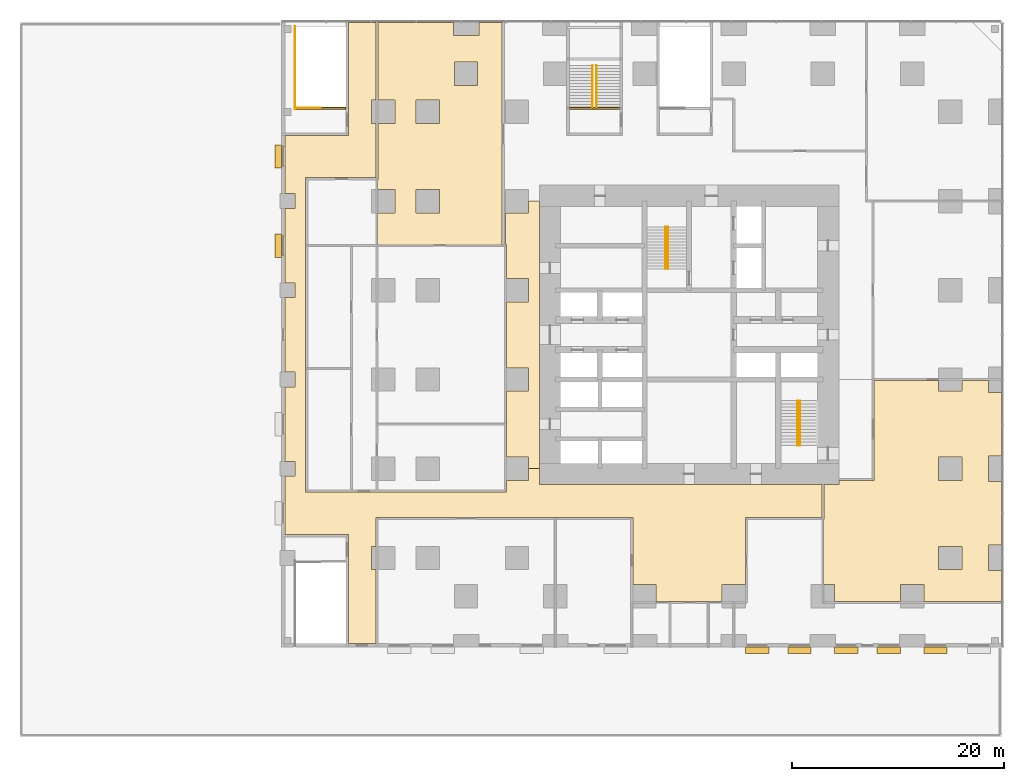
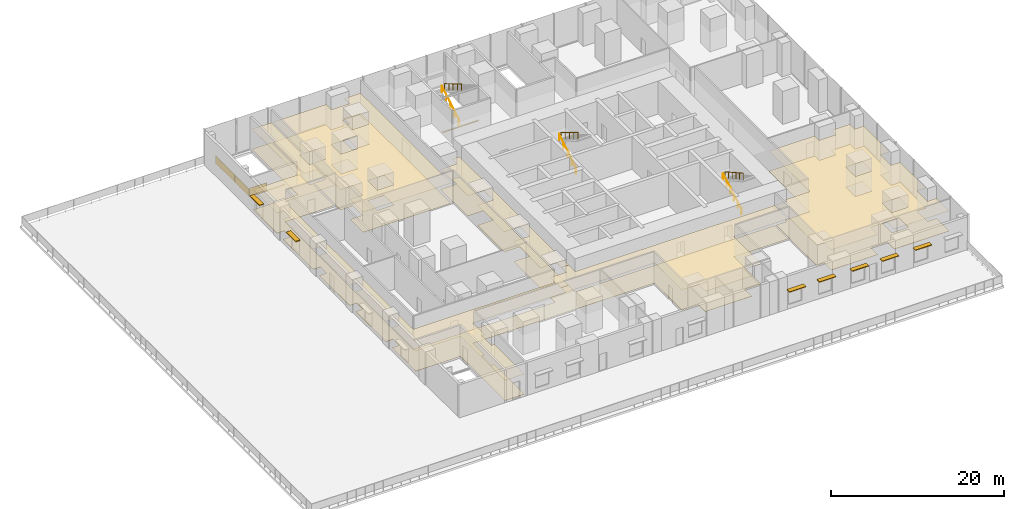
# One storey, part 17 of 18: 10 coverings, 8 railings, 7 shading devices.
"""IFC4 building model written with IfcOpenShell, lengths in metres."""

from ifc_helpers import new_model, si_unit, direction, frame, origin, origin_2d, place, context, subcontext, project, spatial, polyline, rectangle, circle, outline, extrude, material, layer, layer_set, type_object, element, save


model = new_model("IFC4")

# Units and contexts
model_context = context("Model", 3, precision=1e-05, world=origin(), true_north=direction((0.0, 1.0)))
body_context = subcontext(model_context, "Body", "Model", "MODEL_VIEW")
ifc_project = project(units=[si_unit("LENGTHUNIT", "METRE"), si_unit("AREAUNIT", "SQUARE_METRE"), si_unit("VOLUMEUNIT", "CUBIC_METRE"), si_unit("PLANEANGLEUNIT", "RADIAN"), si_unit("MASSUNIT", "GRAM", prefix="KILO")], contexts=[model_context])

# Site, building, storey
site_placement = place(None, origin())
site = spatial("IfcSite", under=ifc_project, at=site_placement, CompositionType="ELEMENT")
building_placement = place(site_placement, origin())
building = spatial("IfcBuilding", under=site, at=building_placement, Name="Dunama Terrace Hotel", CompositionType="ELEMENT")
storey_placement = place(building_placement, frame((0.0, 0.0, 17.0)))
storey = spatial("IfcBuildingStorey", under=building, at=storey_placement, Name="L03", CompositionType="ELEMENT", Elevation=17.0)

# Railings
ifc_material_1 = material(Name="Stainless steel and laminated glass guard", Category="steel")
railing_type_1 = type_object("IfcRailingType", Name="Guard 1100", PredefinedType="GUARDRAIL", material=ifc_material_1)
railing_1_placement = place(storey_placement, frame((-7.625, 50.77490234375, 0.030029296875)))
element("IfcRailing", 1, at=railing_1_placement, inside=storey, type_object=railing_type_1, Name="Stair well guard P3 L03", PredefinedType="GUARDRAIL", context=body_context, shape_type="SweptSolid", body=[
    extrude(circle(Radius=0.02392578125, at=origin_2d()), frame((0.0, 0.0, 1.076171875), z_axis=(1.0, 0.0, 0.0), x_axis=(0.0, 1.0, 0.0)), (0.0, 0.0, 1.0), 2.300048828125),
    extrude(circle(Radius=0.02099609375, at=origin_2d()), frame((0.0, 0.0, -0.030029296875)), (0.0, 0.0, 1.0), 1.08203125),
    extrude(circle(Radius=0.02099609375, at=origin_2d()), frame((1.14990234375, 0.0, -0.030029296875)), (0.0, 0.0, 1.0), 1.08203125),
    extrude(circle(Radius=0.02099609375, at=origin_2d()), frame((2.300048828125, 0.0, -0.030029296875)), (0.0, 0.0, 1.0), 1.08203125),
    extrude(outline(polyline([(0.0048828125, 0.050048828125), (1.14501953125, 0.050048828125), (1.14501953125, 1.076171875), (0.0048828125, 1.076171875), (0.0048828125, 0.050048828125)])), frame((0.0, 0.0087890625, 0.0), z_axis=(0.0, -1.0, 0.0), x_axis=(1.0, 0.0, 0.0)), (0.0, 0.0, 1.0), 0.017578125),
    extrude(outline(polyline([(0.0048828125, 0.050048828125), (1.14501953125, 0.050048828125), (1.14501953125, 1.076171875), (0.0048828125, 1.076171875), (0.0048828125, 0.050048828125)])), frame((1.14990234375, 0.0087890625, 0.0), z_axis=(0.0, -1.0, 0.0), x_axis=(1.0, 0.0, 0.0)), (0.0, 0.0, 1.0), 0.017578125),
])
railing_2_placement = place(storey_placement, frame((-7.72509765625, 50.659912109375, 0.0)))
element("IfcRailing", 2, at=railing_2_placement, inside=storey, type_object=railing_type_1, Name="Stair well edge guard P3 L03", PredefinedType="GUARDRAIL", context=body_context, shape_type="SweptSolid", body=[
    extrude(circle(Radius=0.02392578125, at=origin_2d()), frame((0.0, 0.0, 1.076171875), z_axis=(0.0, 1.0, 0.0), x_axis=(-1.0, 0.0, 0.0)), (0.0, 0.0, 1.0), 7.7900390625),
    extrude(circle(Radius=0.02099609375, at=origin_2d()), origin(), (0.0, 0.0, 1.0), 1.052001953125),
    extrude(circle(Radius=0.02099609375, at=origin_2d()), frame((0.0, 1.11279296875, 0.0)), (0.0, 0.0, 1.0), 1.052001953125),
    extrude(circle(Radius=0.02099609375, at=origin_2d()), frame((0.0, 2.225830078125, 0.0)), (0.0, 0.0, 1.0), 1.052001953125),
    extrude(circle(Radius=0.02099609375, at=origin_2d()), frame((0.0, 3.338623046875, 0.0)), (0.0, 0.0, 1.0), 1.052001953125),
    extrude(circle(Radius=0.02099609375, at=origin_2d()), frame((0.0, 4.451416015625, 0.0)), (0.0, 0.0, 1.0), 1.052001953125),
    extrude(circle(Radius=0.02099609375, at=origin_2d()), frame((0.0, 5.564208984375, 0.0)), (0.0, 0.0, 1.0), 1.052001953125),
    extrude(circle(Radius=0.02099609375, at=origin_2d()), frame((0.0, 6.67724609375, 0.0)), (0.0, 0.0, 1.0), 1.052001953125),
    extrude(circle(Radius=0.02099609375, at=origin_2d()), frame((0.0, 7.7900390625, 0.0)), (0.0, 0.0, 1.0), 1.052001953125),
    extrude(outline(polyline([(0.0048828125, 0.050048828125), (1.10791015625, 0.050048828125), (1.10791015625, 1.076171875), (0.0048828125, 1.076171875), (0.0048828125, 0.050048828125)])), frame((-0.0087890625, 0.0, 0.0), z_axis=(1.0, 0.0, 0.0), x_axis=(0.0, 1.0, 0.0)), (0.0, 0.0, 1.0), 0.017578125),
    extrude(outline(polyline([(0.0048828125, 0.050048828125), (1.10791015625, 0.050048828125), (1.10791015625, 1.076171875), (0.0048828125, 1.076171875), (0.0048828125, 0.050048828125)])), frame((-0.0087890625, 1.11279296875, 0.0), z_axis=(1.0, 0.0, 0.0), x_axis=(0.0, 1.0, 0.0)), (0.0, 0.0, 1.0), 0.017578125),
    extrude(outline(polyline([(0.0048828125, 0.050048828125), (1.10791015625, 0.050048828125), (1.10791015625, 1.076171875), (0.0048828125, 1.076171875), (0.0048828125, 0.050048828125)])), frame((-0.0087890625, 2.225830078125, 0.0), z_axis=(1.0, 0.0, 0.0), x_axis=(0.0, 1.0, 0.0)), (0.0, 0.0, 1.0), 0.017578125),
    extrude(outline(polyline([(0.0048828125, 0.050048828125), (1.10791015625, 0.050048828125), (1.10791015625, 1.076171875), (0.0048828125, 1.076171875), (0.0048828125, 0.050048828125)])), frame((-0.0087890625, 3.338623046875, 0.0), z_axis=(1.0, 0.0, 0.0), x_axis=(0.0, 1.0, 0.0)), (0.0, 0.0, 1.0), 0.017578125),
    extrude(outline(polyline([(0.0048828125, 0.050048828125), (1.10791015625, 0.050048828125), (1.10791015625, 1.076171875), (0.0048828125, 1.076171875), (0.0048828125, 0.050048828125)])), frame((-0.0087890625, 4.451416015625, 0.0), z_axis=(1.0, 0.0, 0.0), x_axis=(0.0, 1.0, 0.0)), (0.0, 0.0, 1.0), 0.017578125),
    extrude(outline(polyline([(0.0048828125, 0.050048828125), (1.10791015625, 0.050048828125), (1.10791015625, 1.076171875), (0.0048828125, 1.076171875), (0.0048828125, 0.050048828125)])), frame((-0.0087890625, 5.564208984375, 0.0), z_axis=(1.0, 0.0, 0.0), x_axis=(0.0, 1.0, 0.0)), (0.0, 0.0, 1.0), 0.017578125),
    extrude(outline(polyline([(0.0048828125, 0.050048828125), (1.10791015625, 0.050048828125), (1.10791015625, 1.076171875), (0.0048828125, 1.076171875), (0.0048828125, 0.050048828125)])), frame((-0.0087890625, 6.67724609375, 0.0), z_axis=(1.0, 0.0, 0.0), x_axis=(0.0, 1.0, 0.0)), (0.0, 0.0, 1.0), 0.017578125),
])
ifc_material_2 = material(Name="Stainless steel handrail", Category="steel")
railing_type_2 = type_object("IfcRailingType", Name="Stair handrail 900", PredefinedType="HANDRAIL", material=ifc_material_2)
railing_3_placement = place(storey_placement, frame((27.175048828125, 35.625, 0.166748046875)))
element("IfcRailing", 3, at=railing_3_placement, inside=storey, type_object=railing_type_2, Name="Handrail ST1 L03", PredefinedType="HANDRAIL", context=body_context, shape_type="SweptSolid", body=[
    extrude(circle(Radius=0.02392578125, at=origin_2d()), frame((0.0, 0.0, 0.8759765625), z_axis=(0.0, 0.859296244711, 0.511478214419), x_axis=(-1.0, 0.0, 0.0)), (0.0, 0.0, 1.0), 4.561767578125),
    extrude(circle(Radius=0.02099609375, at=origin_2d()), origin(), (0.0, 0.0, 1.0), 0.851806640625),
    extrude(circle(Radius=0.02099609375, at=origin_2d()), frame((0.0, 0.97998046875, 0.583251953125)), (0.0, 0.0, 1.0), 0.851806640625),
    extrude(circle(Radius=0.02099609375, at=origin_2d()), frame((0.0, 1.9599609375, 1.16650390625)), (0.0, 0.0, 1.0), 0.851806640625),
    extrude(circle(Radius=0.02099609375, at=origin_2d()), frame((0.0, 2.93994140625, 1.75)), (0.0, 0.0, 1.0), 0.851806640625),
    extrude(circle(Radius=0.02099609375, at=origin_2d()), frame((0.0, 3.919921875, 2.333251953125)), (0.0, 0.0, 1.0), 0.851806640625),
])
railing_4_placement = place(storey_placement, frame((27.425048828125, 39.544921875, 2.666748046875)))
element("IfcRailing", 4, at=railing_4_placement, inside=storey, type_object=railing_type_2, Name="Handrail ST1 L03", PredefinedType="HANDRAIL", context=body_context, shape_type="SweptSolid", body=[
    extrude(circle(Radius=0.02392578125, at=origin_2d()), frame((0.0, 0.0, 0.8759765625), z_axis=(0.0, -0.859296244711, 0.511478214419), x_axis=(1.0, 0.0, 0.0)), (0.0, 0.0, 1.0), 4.561767578125),
    extrude(circle(Radius=0.02099609375, at=origin_2d()), origin(), (0.0, 0.0, 1.0), 0.851806640625),
    extrude(circle(Radius=0.02099609375, at=origin_2d()), frame((0.0, -0.97998046875, 0.583251953125)), (0.0, 0.0, 1.0), 0.851806640625),
    extrude(circle(Radius=0.02099609375, at=origin_2d()), frame((0.0, -1.9599609375, 1.16650390625)), (0.0, 0.0, 1.0), 0.851806640625),
    extrude(circle(Radius=0.02099609375, at=origin_2d()), frame((0.0, -2.93994140625, 1.75)), (0.0, 0.0, 1.0), 0.851806640625),
    extrude(circle(Radius=0.02099609375, at=origin_2d()), frame((0.0, -3.919921875, 2.333251953125)), (0.0, 0.0, 1.0), 0.851806640625),
])
railing_5_placement = place(storey_placement, frame((39.60009765625, 19.0, 0.166748046875)))
element("IfcRailing", 5, at=railing_5_placement, inside=storey, type_object=railing_type_2, Name="Handrail ST2 L03", PredefinedType="HANDRAIL", context=body_context, shape_type="SweptSolid", body=[
    extrude(circle(Radius=0.02392578125, at=origin_2d()), frame((0.0, 0.0, 0.8759765625), z_axis=(0.0, 0.874162069901, 0.485634302275), x_axis=(-1.0, 0.0, 0.0)), (0.0, 0.0, 1.0), 4.804443359375),
    extrude(circle(Radius=0.02099609375, at=origin_2d()), origin(), (0.0, 0.0, 1.0), 0.851806640625),
    extrude(circle(Radius=0.02099609375, at=origin_2d()), frame((0.0, 0.840087890625, 0.466552734375)), (0.0, 0.0, 1.0), 0.851806640625),
    extrude(circle(Radius=0.02099609375, at=origin_2d()), frame((0.0, 1.679931640625, 0.933349609375)), (0.0, 0.0, 1.0), 0.851806640625),
    extrude(circle(Radius=0.02099609375, at=origin_2d()), frame((0.0, 2.52001953125, 1.39990234375)), (0.0, 0.0, 1.0), 0.851806640625),
    extrude(circle(Radius=0.02099609375, at=origin_2d()), frame((0.0, 3.35986328125, 1.86669921875)), (0.0, 0.0, 1.0), 0.851806640625),
    extrude(circle(Radius=0.02099609375, at=origin_2d()), frame((0.0, 4.199951171875, 2.333251953125)), (0.0, 0.0, 1.0), 0.851806640625),
])
railing_6_placement = place(storey_placement, frame((39.85009765625, 23.199951171875, 2.666748046875)))
element("IfcRailing", 6, at=railing_6_placement, inside=storey, type_object=railing_type_2, Name="Handrail ST2 L03", PredefinedType="HANDRAIL", context=body_context, shape_type="SweptSolid", body=[
    extrude(circle(Radius=0.02392578125, at=origin_2d()), frame((0.0, 0.0, 0.8759765625), z_axis=(0.0, -0.874162069901, 0.485634302275), x_axis=(1.0, 0.0, 0.0)), (0.0, 0.0, 1.0), 4.804443359375),
    extrude(circle(Radius=0.02099609375, at=origin_2d()), origin(), (0.0, 0.0, 1.0), 0.851806640625),
    extrude(circle(Radius=0.02099609375, at=origin_2d()), frame((0.0, -0.840087890625, 0.466552734375)), (0.0, 0.0, 1.0), 0.851806640625),
    extrude(circle(Radius=0.02099609375, at=origin_2d()), frame((0.0, -1.679931640625, 0.933349609375)), (0.0, 0.0, 1.0), 0.851806640625),
    extrude(circle(Radius=0.02099609375, at=origin_2d()), frame((0.0, -2.52001953125, 1.39990234375)), (0.0, 0.0, 1.0), 0.851806640625),
    extrude(circle(Radius=0.02099609375, at=origin_2d()), frame((0.0, -3.35986328125, 1.86669921875)), (0.0, 0.0, 1.0), 0.851806640625),
    extrude(circle(Radius=0.02099609375, at=origin_2d()), frame((0.0, -4.199951171875, 2.333251953125)), (0.0, 0.0, 1.0), 0.851806640625),
])
railing_7_placement = place(storey_placement, frame((20.324951171875, 50.824951171875, 0.166748046875)))
element("IfcRailing", 7, at=railing_7_placement, inside=storey, type_object=railing_type_2, Name="Handrail P5 L03", PredefinedType="HANDRAIL", context=body_context, shape_type="SweptSolid", body=[
    extrude(circle(Radius=0.02392578125, at=origin_2d()), frame((0.0, 0.0, 0.8759765625), z_axis=(0.0, 0.859310244771, 0.511454693235), x_axis=(-1.0, 0.0, 0.0)), (0.0, 0.0, 1.0), 4.56201171875),
    extrude(circle(Radius=0.02099609375, at=origin_2d()), origin(), (0.0, 0.0, 1.0), 0.851806640625),
    extrude(circle(Radius=0.02099609375, at=origin_2d()), frame((0.0, 0.97998046875, 0.583251953125)), (0.0, 0.0, 1.0), 0.851806640625),
    extrude(circle(Radius=0.02099609375, at=origin_2d()), frame((0.0, 1.9599609375, 1.16650390625)), (0.0, 0.0, 1.0), 0.851806640625),
    extrude(circle(Radius=0.02099609375, at=origin_2d()), frame((0.0, 2.940185546875, 1.75)), (0.0, 0.0, 1.0), 0.851806640625),
    extrude(circle(Radius=0.02099609375, at=origin_2d()), frame((0.0, 3.920166015625, 2.333251953125)), (0.0, 0.0, 1.0), 0.851806640625),
])
railing_8_placement = place(storey_placement, frame((20.675048828125, 54.7451171875, 2.666748046875)))
element("IfcRailing", 8, at=railing_8_placement, inside=storey, type_object=railing_type_2, Name="Handrail P5 L03", PredefinedType="HANDRAIL", context=body_context, shape_type="SweptSolid", body=[
    extrude(circle(Radius=0.02392578125, at=origin_2d()), frame((0.0, 0.0, 0.8759765625), z_axis=(0.0, -0.859310244771, 0.511454693235), x_axis=(1.0, 0.0, 0.0)), (0.0, 0.0, 1.0), 4.56201171875),
    extrude(circle(Radius=0.02099609375, at=origin_2d()), origin(), (0.0, 0.0, 1.0), 0.851806640625),
    extrude(circle(Radius=0.02099609375, at=origin_2d()), frame((0.0, -0.97998046875, 0.583251953125)), (0.0, 0.0, 1.0), 0.851806640625),
    extrude(circle(Radius=0.02099609375, at=origin_2d()), frame((0.0, -1.9599609375, 1.16650390625)), (0.0, 0.0, 1.0), 0.851806640625),
    extrude(circle(Radius=0.02099609375, at=origin_2d()), frame((0.0, -2.940185546875, 1.75)), (0.0, 0.0, 1.0), 0.851806640625),
    extrude(circle(Radius=0.02099609375, at=origin_2d()), frame((0.0, -3.920166015625, 2.333251953125)), (0.0, 0.0, 1.0), 0.851806640625),
])

# Coverings
ifc_material_3 = material(Name="Natural stone floor tiles", Category="masonry")
ifc_layer_1 = layer(ifc_material_3, 0.030029296875)
ifc_layer_set_1 = layer_set([ifc_layer_1], Name="Stone floor finish 30")
covering_type_1 = type_object("IfcCoveringType", Name="Stone floor finish 30", PredefinedType="FLOORING", material=ifc_layer_set_1)
covering_1_placement = place(storey_placement, origin())
element("IfcCovering", 9, at=covering_1_placement, inside=storey, type_object=covering_type_1, Name="Stair threshold P3 L03", PredefinedType="FLOORING", context=body_context, shape_type="SweptSolid", body=[
    extrude(outline(polyline([(-2.925048828125, 50.659912109375), (-2.925048828125, 50.824951171875), (-7.675048828125, 50.824951171875), (-7.675048828125, 50.659912109375), (-2.925048828125, 50.659912109375)])), origin(), (0.0, 0.0, 1.0), 0.030029296875),
])
covering_2_placement = place(storey_placement, origin())
element("IfcCovering", 10, at=covering_2_placement, inside=storey, type_object=covering_type_1, Name="Stair threshold P5 L03", PredefinedType="FLOORING", context=body_context, shape_type="SweptSolid", body=[
    extrude(outline(polyline([(22.875, 50.659912109375), (22.875, 50.824951171875), (18.125, 50.824951171875), (18.125, 50.659912109375), (22.875, 50.659912109375)])), origin(), (0.0, 0.0, 1.0), 0.030029296875),
])
covering_3_placement = place(storey_placement, origin())
element("IfcCovering", 11, at=covering_3_placement, inside=storey, type_object=covering_type_1, Name="Floor finish L03-19", PredefinedType="FLOORING", context=body_context, shape_type="SweptSolid", body=[
    extrude(outline(polyline([(7.199951171875, 58.800048828125), (0.10009765625, 58.800048828125), (0.10009765625, 51.5), (1.699951171875, 51.5), (1.699951171875, 49.300048828125), (0.10009765625, 49.300048828125), (0.10009765625, 44.199951171875), (0.10009765625, 44.10009765625), (0.10009765625, 44.0), (0.074951171875, 44.0), (0.074951171875, 43.10009765625), (1.699951171875, 43.10009765625), (1.699951171875, 40.89990234375), (0.074951171875, 40.89990234375), (0.074951171875, 37.89990234375), (0.10009765625, 37.89990234375), (0.10009765625, 37.875), (11.800048828125, 37.875), (11.800048828125, 37.89990234375), (11.800048828125, 58.800048828125), (9.60009765625, 58.800048828125), (9.60009765625, 57.60009765625), (7.199951171875, 57.60009765625), (7.199951171875, 58.800048828125)]), holes=[polyline([(5.89990234375, 43.10009765625), (5.89990234375, 40.89990234375), (3.699951171875, 40.89990234375), (3.699951171875, 43.10009765625), (5.89990234375, 43.10009765625)]), polyline([(3.699951171875, 51.5), (5.89990234375, 51.5), (5.89990234375, 49.300048828125), (3.699951171875, 49.300048828125), (3.699951171875, 51.5)]), polyline([(7.300048828125, 55.10009765625), (9.5, 55.10009765625), (9.5, 52.89990234375), (7.300048828125, 52.89990234375), (7.300048828125, 55.10009765625)])]), origin(), (0.0, 0.0, 1.0), 0.030029296875),
])
covering_4_placement = place(storey_placement, origin())
element("IfcCovering", 12, at=covering_4_placement, inside=storey, type_object=covering_type_1, Name="Floor finish L03-26", PredefinedType="FLOORING", context=body_context, shape_type="SweptSolid", body=[
    extrude(outline(polyline([(58.800048828125, 18.0), (58.800048828125, 24.0), (57.60009765625, 24.0), (57.60009765625, 25.125), (55.10009765625, 25.125), (55.10009765625, 24.10009765625), (52.89990234375, 24.10009765625), (52.89990234375, 25.125), (46.800048828125, 25.125), (46.800048828125, 15.89990234375), (46.800048828125, 15.800048828125), (46.800048828125, 15.699951171875), (46.60009765625, 15.699951171875), (43.5, 15.699951171875), (43.5, 15.300048828125), (42.10009765625, 15.300048828125), (42.10009765625, 12.199951171875), (42.10009765625, 12.10009765625), (42.10009765625, 12.0), (42.074951171875, 12.0), (42.074951171875, 5.89990234375), (43.10009765625, 5.89990234375), (43.10009765625, 4.27490234375), (49.300048828125, 4.27490234375), (49.300048828125, 5.89990234375), (51.5, 5.89990234375), (51.5, 4.27490234375), (58.800048828125, 4.27490234375), (58.800048828125, 7.199951171875), (57.60009765625, 7.199951171875), (57.60009765625, 9.60009765625), (58.800048828125, 9.60009765625), (58.800048828125, 15.60009765625), (57.60009765625, 15.60009765625), (57.60009765625, 18.0), (58.800048828125, 18.0)]), holes=[polyline([(55.10009765625, 9.5), (55.10009765625, 7.300048828125), (52.89990234375, 7.300048828125), (52.89990234375, 9.5), (55.10009765625, 9.5)]), polyline([(52.89990234375, 17.89990234375), (55.10009765625, 17.89990234375), (55.10009765625, 15.699951171875), (52.89990234375, 15.699951171875), (52.89990234375, 17.89990234375)])]), origin(), (0.0, 0.0, 1.0), 0.030029296875),
])
covering_5_placement = place(storey_placement, origin())
element("IfcCovering", 13, at=covering_5_placement, inside=storey, type_object=covering_type_1, Name="Floor finish L03-37", PredefinedType="FLOORING", context=body_context, shape_type="SweptSolid", body=[
    extrude(outline(polyline([(14.300048828125, 16.800048828125), (15.300048828125, 16.800048828125), (15.300048828125, 17.300048828125), (15.300048828125, 41.5), (15.300048828125, 42.0), (14.300048828125, 42.0), (14.300048828125, 40.89990234375), (12.10009765625, 40.89990234375), (12.10009765625, 37.89990234375), (12.199951171875, 37.89990234375), (12.199951171875, 37.699951171875), (12.199951171875, 34.699951171875), (14.300048828125, 34.699951171875), (14.300048828125, 32.5), (12.199951171875, 32.5), (12.199951171875, 26.300048828125), (14.300048828125, 26.300048828125), (14.300048828125, 24.10009765625), (12.199951171875, 24.10009765625), (12.199951171875, 17.89990234375), (14.300048828125, 17.89990234375), (14.300048828125, 16.800048828125)])), origin(), (0.0, 0.0, 1.0), 0.030029296875),
])
covering_6_placement = place(storey_placement, origin())
element("IfcCovering", 14, at=covering_6_placement, inside=storey, type_object=covering_type_1, Name="Floor finish L03-38", PredefinedType="FLOORING", context=body_context, shape_type="SweptSolid", body=[
    extrude(outline(polyline([(-0.10009765625, 58.800048828125), (-2.675048828125, 58.800048828125), (-2.675048828125, 48.425048828125), (-2.675048828125, 48.300048828125), (-2.675048828125, 48.175048828125), (-2.925048828125, 48.175048828125), (-8.64990234375, 48.175048828125), (-8.64990234375, 42.699951171875), (-7.699951171875, 42.699951171875), (-7.699951171875, 41.300048828125), (-8.64990234375, 41.300048828125), (-8.64990234375, 34.300048828125), (-7.699951171875, 34.300048828125), (-7.699951171875, 32.89990234375), (-8.64990234375, 32.89990234375), (-8.64990234375, 25.89990234375), (-7.699951171875, 25.89990234375), (-7.699951171875, 24.5), (-8.64990234375, 24.5), (-8.64990234375, 17.5), (-7.699951171875, 17.5), (-7.699951171875, 16.10009765625), (-8.64990234375, 16.10009765625), (-8.64990234375, 10.625), (-2.925048828125, 10.625), (-2.800048828125, 10.625), (-2.675048828125, 10.625), (-2.675048828125, 10.375), (-2.675048828125, 0.35009765625), (-0.10009765625, 0.35009765625), (-0.10009765625, 7.300048828125), (-0.5, 7.300048828125), (-0.5, 9.5), (-0.10009765625, 9.5), (-0.10009765625, 12.0), (-0.10009765625, 12.10009765625), (-0.10009765625, 12.199951171875), (0.10009765625, 12.199951171875), (23.89990234375, 12.199951171875), (24.0, 12.199951171875), (24.10009765625, 12.199951171875), (24.10009765625, 12.0), (24.10009765625, 5.89990234375), (26.300048828125, 5.89990234375), (26.300048828125, 4.300048828125), (32.5, 4.300048828125), (32.5, 5.89990234375), (34.699951171875, 5.89990234375), (34.699951171875, 12.0), (34.699951171875, 12.10009765625), (34.699951171875, 12.199951171875), (34.89990234375, 12.199951171875), (41.89990234375, 12.199951171875), (41.89990234375, 15.300048828125), (41.5, 15.300048828125), (17.300048828125, 15.300048828125), (16.300048828125, 15.300048828125), (15.300048828125, 15.300048828125), (15.300048828125, 16.800048828125), (14.300048828125, 16.800048828125), (14.300048828125, 15.699951171875), (12.199951171875, 15.699951171875), (12.199951171875, 14.800048828125), (12.199951171875, 14.699951171875), (12.199951171875, 14.60009765625), (12.0, 14.60009765625), (0.10009765625, 14.60009765625), (-0.10009765625, 14.60009765625), (-2.300048828125, 14.60009765625), (-2.5, 14.60009765625), (-6.5, 14.60009765625), (-6.60009765625, 14.60009765625), (-6.699951171875, 14.60009765625), (-6.699951171875, 14.800048828125), (-6.699951171875, 44.0), (-6.699951171875, 44.10009765625), (-6.699951171875, 44.199951171875), (-6.5, 44.199951171875), (-0.10009765625, 44.199951171875), (-0.10009765625, 49.300048828125), (-0.5, 49.300048828125), (-0.5, 51.5), (-0.10009765625, 51.5), (-0.10009765625, 58.800048828125)])), origin(), (0.0, 0.0, 1.0), 0.030029296875),
])

# Shading devices
ifc_material_4 = material(Name="Precast stone sunshade", Category="masonry")
ifc_layer_2 = layer(ifc_material_4, 0.10009765625)
ifc_layer_set_2 = layer_set([ifc_layer_2], Name="Stone sunshade 600")
shading_device_type = type_object("IfcShadingDeviceType", Name="Stone sunshade 600", PredefinedType="USERDEFINED", material=ifc_layer_set_2)
for number, where, z_axis, x_axis, name in (
    (15, (35.800048828125, -0.300048828125, 2.75), (0.0, 0.0, 1.0), (1.0, 0.0, 0.0), "Sunshade L03"),
    (16, (39.800048828125, -0.300048828125, 2.75), (0.0, 0.0, 1.0), (1.0, 0.0, 0.0), "Sunshade L03"),
    (17, (44.199951171875, -0.300048828125, 2.75), (0.0, 0.0, 1.0), (1.0, 0.0, 0.0), "Sunshade L03"),
    (18, (48.199951171875, -0.300048828125, 2.75), (0.0, 0.0, 1.0), (1.0, 0.0, 0.0), "Sunshade L03"),
    (19, (52.60009765625, -0.300048828125, 2.75), (0.0, 0.0, 1.0), (1.0, 0.0, 0.0), "Sunshade L03"),
    (20, (-9.300048828125, 37.800048828125, 2.75), (0.0, 0.0, 1.0), (0.0, -1.0, 0.0), "Sunshade L03"),
    (21, (-9.300048828125, 46.199951171875, 2.75), (0.0, 0.0, 1.0), (0.0, -1.0, 0.0), "Sunshade L03"),
):
    element("IfcShadingDevice", number, at=place(storey_placement, frame(where, z_axis=z_axis, x_axis=x_axis)), inside=storey, type_object=shading_device_type, Name=name, ObjectType="SUNSHADE", PredefinedType="USERDEFINED", context=body_context, shape_type="SweptSolid", body=[
        extrude(rectangle(XDim=2.199951171875, YDim=0.60009765625, at=origin_2d()), origin(), (0.0, 0.0, 1.0), 0.10009765625),
    ])

# Coverings
ifc_material_5 = material(Name="Gypsum plasterboard ceiling")
ifc_layer_3 = layer(ifc_material_5, 0.02001953125)
ifc_layer_set_3 = layer_set([ifc_layer_3], Name="Suspended ceiling 20")
covering_type_2 = type_object("IfcCoveringType", Name="Suspended ceiling 20", PredefinedType="CEILING", material=ifc_layer_set_3)
covering_7_placement = place(storey_placement, frame((0.0, 0.0, 2.85009765625)))
element("IfcCovering", 22, at=covering_7_placement, inside=storey, type_object=covering_type_2, Name="Ceiling L03-19", PredefinedType="CEILING", context=body_context, shape_type="SweptSolid", body=[
    extrude(outline(polyline([(7.199951171875, 57.60009765625), (7.199951171875, 58.800048828125), (2.699951171875, 58.800048828125), (0.10009765625, 58.800048828125), (0.10009765625, 51.5), (1.699951171875, 51.5), (1.699951171875, 49.300048828125), (0.10009765625, 49.300048828125), (0.10009765625, 44.199951171875), (0.10009765625, 44.10009765625), (0.10009765625, 44.0), (0.074951171875, 44.0), (0.074951171875, 43.10009765625), (1.699951171875, 43.10009765625), (1.699951171875, 40.89990234375), (0.074951171875, 40.89990234375), (0.074951171875, 37.89990234375), (0.10009765625, 37.89990234375), (0.10009765625, 37.875), (11.800048828125, 37.875), (11.800048828125, 37.89990234375), (11.800048828125, 58.800048828125), (9.60009765625, 58.800048828125), (9.60009765625, 57.60009765625), (7.199951171875, 57.60009765625)]), holes=[polyline([(3.699951171875, 43.10009765625), (5.89990234375, 43.10009765625), (5.89990234375, 40.89990234375), (3.699951171875, 40.89990234375), (3.699951171875, 43.10009765625)]), polyline([(3.699951171875, 49.300048828125), (3.699951171875, 51.5), (5.89990234375, 51.5), (5.89990234375, 49.300048828125), (3.699951171875, 49.300048828125)]), polyline([(7.300048828125, 52.89990234375), (7.300048828125, 55.10009765625), (9.5, 55.10009765625), (9.5, 52.89990234375), (7.300048828125, 52.89990234375)])]), origin(), (0.0, 0.0, 1.0), 0.02001953125),
])
covering_8_placement = place(storey_placement, frame((0.0, 0.0, 2.85009765625)))
element("IfcCovering", 23, at=covering_8_placement, inside=storey, type_object=covering_type_2, Name="Ceiling L03-26", PredefinedType="CEILING", context=body_context, shape_type="SweptSolid", body=[
    extrude(outline(polyline([(57.60009765625, 18.0), (58.800048828125, 18.0), (58.800048828125, 24.0), (57.60009765625, 24.0), (57.60009765625, 25.125), (55.10009765625, 25.125), (55.10009765625, 24.10009765625), (52.89990234375, 24.10009765625), (52.89990234375, 25.125), (46.800048828125, 25.125), (46.800048828125, 15.89990234375), (46.800048828125, 15.800048828125), (46.800048828125, 15.699951171875), (46.60009765625, 15.699951171875), (43.5, 15.699951171875), (43.5, 15.300048828125), (42.10009765625, 15.300048828125), (42.10009765625, 12.199951171875), (42.10009765625, 12.10009765625), (42.10009765625, 12.0), (42.074951171875, 12.0), (42.074951171875, 5.89990234375), (43.10009765625, 5.89990234375), (43.10009765625, 4.27490234375), (49.300048828125, 4.27490234375), (49.300048828125, 5.89990234375), (51.5, 5.89990234375), (51.5, 4.27490234375), (58.800048828125, 4.27490234375), (58.800048828125, 7.199951171875), (57.60009765625, 7.199951171875), (57.60009765625, 9.60009765625), (58.800048828125, 9.60009765625), (58.800048828125, 15.60009765625), (57.60009765625, 15.60009765625), (57.60009765625, 18.0)]), holes=[polyline([(52.89990234375, 9.5), (55.10009765625, 9.5), (55.10009765625, 7.300048828125), (52.89990234375, 7.300048828125), (52.89990234375, 9.5)]), polyline([(52.89990234375, 15.699951171875), (52.89990234375, 17.89990234375), (55.10009765625, 17.89990234375), (55.10009765625, 15.699951171875), (52.89990234375, 15.699951171875)])]), origin(), (0.0, 0.0, 1.0), 0.02001953125),
])
covering_9_placement = place(storey_placement, frame((0.0, 0.0, 2.85009765625)))
element("IfcCovering", 24, at=covering_9_placement, inside=storey, type_object=covering_type_2, Name="Ceiling L03-37", PredefinedType="CEILING", context=body_context, shape_type="SweptSolid", body=[
    extrude(outline(polyline([(14.300048828125, 17.89990234375), (14.300048828125, 16.800048828125), (15.300048828125, 16.800048828125), (15.300048828125, 17.300048828125), (15.300048828125, 41.5), (15.300048828125, 42.0), (14.300048828125, 42.0), (14.300048828125, 40.89990234375), (12.10009765625, 40.89990234375), (12.10009765625, 37.89990234375), (12.199951171875, 37.89990234375), (12.199951171875, 37.699951171875), (12.199951171875, 34.699951171875), (14.300048828125, 34.699951171875), (14.300048828125, 32.5), (12.199951171875, 32.5), (12.199951171875, 26.300048828125), (14.300048828125, 26.300048828125), (14.300048828125, 24.10009765625), (12.199951171875, 24.10009765625), (12.199951171875, 17.89990234375), (14.300048828125, 17.89990234375)])), origin(), (0.0, 0.0, 1.0), 0.02001953125),
])
covering_10_placement = place(storey_placement, frame((0.0, 0.0, 2.85009765625)))
element("IfcCovering", 25, at=covering_10_placement, inside=storey, type_object=covering_type_2, Name="Ceiling L03-38", PredefinedType="CEILING", context=body_context, shape_type="SweptSolid", body=[
    extrude(outline(polyline([(-0.10009765625, 51.5), (-0.10009765625, 58.800048828125), (-2.675048828125, 58.800048828125), (-2.675048828125, 48.425048828125), (-2.675048828125, 48.300048828125), (-2.675048828125, 48.175048828125), (-2.925048828125, 48.175048828125), (-8.64990234375, 48.175048828125), (-8.64990234375, 42.699951171875), (-7.699951171875, 42.699951171875), (-7.699951171875, 41.300048828125), (-8.64990234375, 41.300048828125), (-8.64990234375, 34.300048828125), (-7.699951171875, 34.300048828125), (-7.699951171875, 32.89990234375), (-8.64990234375, 32.89990234375), (-8.64990234375, 25.89990234375), (-7.699951171875, 25.89990234375), (-7.699951171875, 24.5), (-8.64990234375, 24.5), (-8.64990234375, 17.5), (-7.699951171875, 17.5), (-7.699951171875, 16.10009765625), (-8.64990234375, 16.10009765625), (-8.64990234375, 10.625), (-2.925048828125, 10.625), (-2.800048828125, 10.625), (-2.675048828125, 10.625), (-2.675048828125, 10.375), (-2.675048828125, 0.35009765625), (-0.10009765625, 0.35009765625), (-0.10009765625, 7.300048828125), (-0.5, 7.300048828125), (-0.5, 9.5), (-0.10009765625, 9.5), (-0.10009765625, 12.0), (-0.10009765625, 12.10009765625), (-0.10009765625, 12.199951171875), (0.10009765625, 12.199951171875), (23.89990234375, 12.199951171875), (24.0, 12.199951171875), (24.10009765625, 12.199951171875), (24.10009765625, 12.0), (24.10009765625, 5.89990234375), (26.300048828125, 5.89990234375), (26.300048828125, 4.300048828125), (32.5, 4.300048828125), (32.5, 5.89990234375), (34.699951171875, 5.89990234375), (34.699951171875, 12.0), (34.699951171875, 12.10009765625), (34.699951171875, 12.199951171875), (34.89990234375, 12.199951171875), (41.89990234375, 12.199951171875), (41.89990234375, 15.300048828125), (41.5, 15.300048828125), (17.300048828125, 15.300048828125), (16.300048828125, 15.300048828125), (15.300048828125, 15.300048828125), (15.300048828125, 16.800048828125), (14.300048828125, 16.800048828125), (14.300048828125, 15.699951171875), (12.199951171875, 15.699951171875), (12.199951171875, 14.800048828125), (12.199951171875, 14.699951171875), (12.199951171875, 14.60009765625), (12.0, 14.60009765625), (0.10009765625, 14.60009765625), (-0.10009765625, 14.60009765625), (-2.300048828125, 14.60009765625), (-2.5, 14.60009765625), (-6.5, 14.60009765625), (-6.60009765625, 14.60009765625), (-6.699951171875, 14.60009765625), (-6.699951171875, 14.800048828125), (-6.699951171875, 44.0), (-6.699951171875, 44.10009765625), (-6.699951171875, 44.199951171875), (-6.5, 44.199951171875), (-0.10009765625, 44.199951171875), (-0.10009765625, 49.300048828125), (-0.5, 49.300048828125), (-0.5, 51.5), (-0.10009765625, 51.5)])), origin(), (0.0, 0.0, 1.0), 0.02001953125),
])

save(model, "model.ifc")
